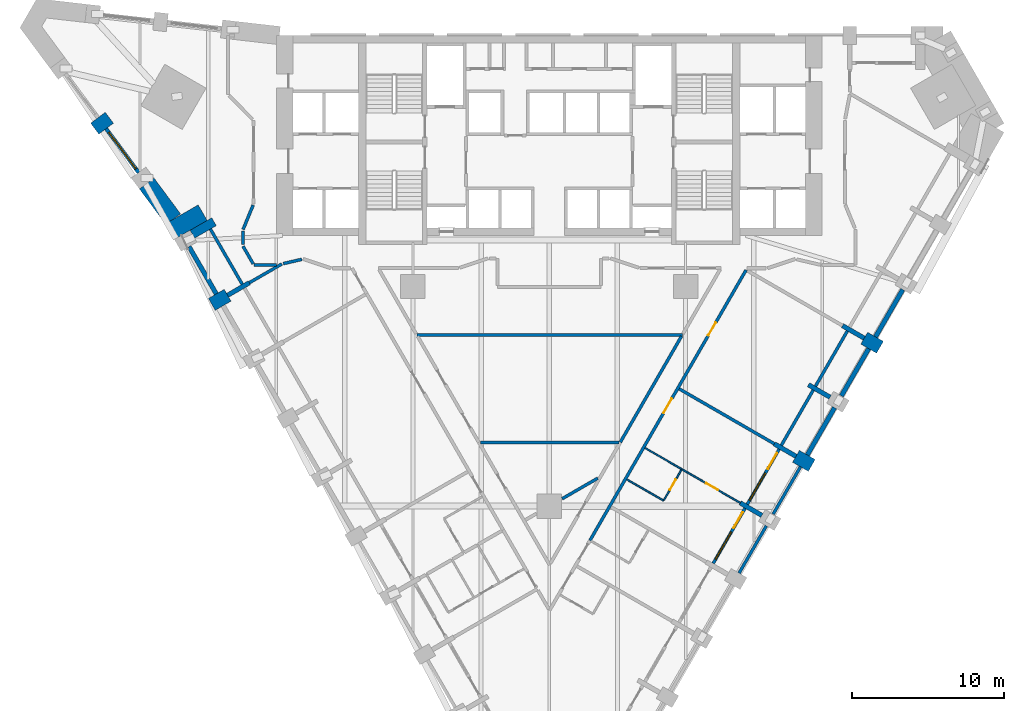
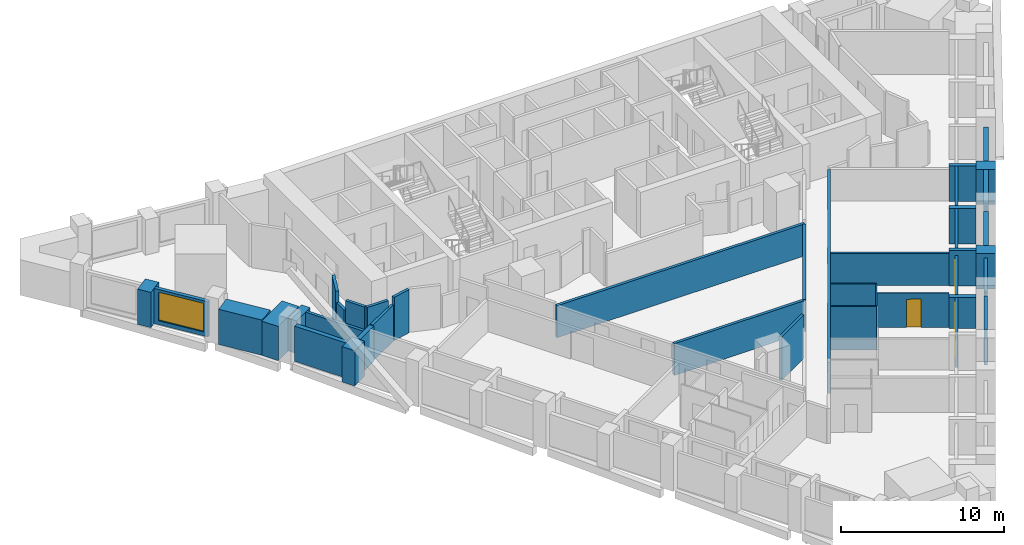
# One storey, part 5 of 11: 40 walls, 6 doors, 3 windows, 9 openings.
"""IFC4 building model written with IfcOpenShell, lengths in metres."""

import ifcopenshell
import ifcopenshell.guid

model = None  # the IFC model being written
_history = None  # IfcOwnerHistory: only IFC2X3 demands one
_inside = {}  # id of a spatial element -> (the spatial element, [elements in it])
_under = {}  # id of a project, library or spatial element -> (it, [spatial elements below it])
_declared = {}  # id of a project -> (the project, [libraries it declares])
_typed = {}  # id of a type object -> (the type object, [elements of that type])
_made_of = {}  # id of a material, layer set ... -> (it, [elements and type objects made of it])


def new_model(schema):
    """Start an empty IFC model of exactly this schema.

    Asked for "IFC4X3", IfcOpenShell would pick the latest addendum, in which some entities
    have other attributes; the version numbers below select the first issue.
    IFC2X3 requires an IfcOwnerHistory on every rooted entity: one is made here for all.
    """
    global model, _history
    if schema == "IFC4X3":
        model = ifcopenshell.file(schema_version=(4, 3, 0, 0))
    else:
        model = ifcopenshell.file(schema=schema)
    _inside.clear()
    _under.clear()
    _declared.clear()
    _typed.clear()
    _made_of.clear()
    _history = None
    if model.schema == "IFC2X3":
        org = make("IfcOrganization", Name="unknown")
        user = make(
            "IfcPersonAndOrganization",
            ThePerson=make("IfcPerson", FamilyName="unknown"),
            TheOrganization=org,
        )
        app = make(
            "IfcApplication",
            ApplicationDeveloper=org,
            Version="unknown",
            ApplicationFullName="unknown",
            ApplicationIdentifier="unknown",
        )
        _history = make(
            "IfcOwnerHistory",
            OwningUser=user,
            OwningApplication=app,
            ChangeAction="ADDED",
            CreationDate=0,
        )
    return model


def make(cls, **values):
    """One entity of the class cls with the attributes given. An attribute that is None is left unset."""
    return model.create_entity(
        cls, **{name: value for name, value in values.items() if value is not None}
    )


def rooted(cls, **values):
    """An entity with a GlobalId (a new one), such as an element, a storey or a relation."""
    return make(cls, GlobalId=ifcopenshell.guid.new(), OwnerHistory=_history, **values)


def si_unit(unit_type, name, prefix=None):
    """IfcSIUnit, for example si_unit("LENGTHUNIT", "METRE", prefix="MILLI")."""
    return make("IfcSIUnit", UnitType=unit_type, Prefix=prefix, Name=name)


def assignment(units):
    """IfcUnitAssignment: the units of a project."""
    return None if units is None else make("IfcUnitAssignment", Units=units)


def point(xyz):
    """IfcCartesianPoint."""
    return None if xyz is None else make("IfcCartesianPoint", Coordinates=xyz)


def direction(xyz):
    """IfcDirection."""
    return None if xyz is None else make("IfcDirection", DirectionRatios=xyz)


def frame(location, z_axis=None, x_axis=None):
    """IfcAxis2Placement3D, a coordinate frame: its origin and axes. An axis left out is left unset."""
    return make(
        "IfcAxis2Placement3D",
        Location=point(location),
        Axis=direction(z_axis),
        RefDirection=direction(x_axis),
    )


def frame_2d(location, x_axis=None):
    """IfcAxis2Placement2D, a coordinate frame in the plane: its origin and x axis."""
    return make(
        "IfcAxis2Placement2D", Location=point(location), RefDirection=direction(x_axis)
    )


def origin():
    """The frame at (0, 0, 0) with its axes left unset."""
    return frame((0.0, 0.0, 0.0))


def place(relative_to, where):
    """IfcLocalPlacement: puts the frame where relative to a parent placement (None: the world)."""
    return make(
        "IfcLocalPlacement", PlacementRelTo=relative_to, RelativePlacement=where
    )


def context(
    kind, dimensions, precision=None, world=None, true_north=None, identifier=None
):
    """IfcGeometricRepresentationContext, for example the 3D "Model" context."""
    return make(
        "IfcGeometricRepresentationContext",
        ContextIdentifier=identifier,
        ContextType=kind,
        CoordinateSpaceDimension=dimensions,
        Precision=precision,
        WorldCoordinateSystem=world,
        TrueNorth=true_north,
    )


def subcontext(parent, identifier, kind, view, scale=None):
    """IfcGeometricRepresentationSubContext, for example "Body" below "Model"."""
    return make(
        "IfcGeometricRepresentationSubContext",
        ContextIdentifier=identifier,
        ContextType=kind,
        ParentContext=parent,
        TargetScale=scale,
        TargetView=view,
    )


def project(units=None, contexts=None):
    """IfcProject with its units and contexts."""
    return rooted(
        "IfcProject",
        Name="project",
        RepresentationContexts=contexts,
        UnitsInContext=assignment(units),
    )


def spatial(cls, under=None, at=None, **own):
    """A site, building, storey or space (cls), placed at a placement, below another one or the project."""
    s = rooted(cls, ObjectPlacement=at, **own)
    if under is not None:
        _under.setdefault(under.id(), (under, []))[1].append(s)
    return s


def polyline(points):
    """IfcPolyline through the points."""
    return make("IfcPolyline", Points=[point(p) for p in points])


def profile(cls, at=None, kind="AREA", **sizes):
    """A parametric profile (cls). Its sizes go by their IFC names, for example OverallWidth=200.0."""
    return make(cls, ProfileType=kind, Position=at, **sizes)


def rectangle(**sizes):
    """IfcRectangleProfileDef."""
    return profile("IfcRectangleProfileDef", **sizes)


def outline(outer, holes=None, kind="AREA"):
    """IfcArbitraryClosedProfileDef: a profile drawn as a closed curve; with holes, ...WithVoids."""
    if holes is None:
        return make("IfcArbitraryClosedProfileDef", ProfileType=kind, OuterCurve=outer)
    return make(
        "IfcArbitraryProfileDefWithVoids",
        ProfileType=kind,
        OuterCurve=outer,
        InnerCurves=holes,
    )


def extrude(swept, where, along, depth):
    """IfcExtrudedAreaSolid: the profile swept, set in the frame where, extruded along a direction by depth."""
    return make(
        "IfcExtrudedAreaSolid",
        SweptArea=swept,
        Position=where,
        ExtrudedDirection=direction(along),
        Depth=depth,
    )


def shape(context_of_items, identifier, shape_type, items):
    """IfcShapeRepresentation: the items that make up one representation, for example the "Body"."""
    return make(
        "IfcShapeRepresentation",
        ContextOfItems=context_of_items,
        RepresentationIdentifier=identifier,
        RepresentationType=shape_type,
        Items=items,
    )


def material(Name=None, Category=None):
    """IfcMaterial."""
    return make("IfcMaterial", Name=Name, Category=Category)


def layer(
    of_material, thickness, ventilated=None, Name=None, Category=None, Priority=None
):
    """IfcMaterialLayer: one layer of a wall or slab, of a material (None: an air gap)."""
    return make(
        "IfcMaterialLayer",
        Material=of_material,
        LayerThickness=thickness,
        IsVentilated=ventilated,
        Name=Name,
        Category=Category,
        Priority=Priority,
    )


def layer_set(layers, Name=None):
    """IfcMaterialLayerSet."""
    return make("IfcMaterialLayerSet", MaterialLayers=layers, LayerSetName=Name)


def made_of(thing, what):
    """Note that an element or type object is made of a material, layer set ...; save() writes the relation."""
    if what is not None:
        _made_of.setdefault(what.id(), (what, []))[1].append(thing)
    return thing


def type_object(cls, material=None, **own):
    """A type object (cls), such as IfcWallType, which elements share."""
    return made_of(rooted(cls, **own), material)


def element(
    cls,
    number,
    at=None,
    inside=None,
    cuts=None,
    type_object=None,
    material=None,
    context=None,
    identifier="Body",
    shape_type=None,
    held_by="IfcProductDefinitionShape",
    body=None,
    shapes=None,
    **own,
):
    """One element of the class cls, such as IfcWall. Its Tag is "e" and its number.

    at: its placement. inside: the storey or other place that contains it. cuts: it is an
    opening in that element (IfcRelVoidsElement). A single representation is given by context,
    identifier, shape_type and body (its items); several are given by shapes. held_by: the class
    of the entity that holds the representations. save() writes the other relations.
    """
    e = rooted(cls, Tag="e%d" % number, ObjectPlacement=at, **own)
    if body is not None:
        shapes = [shape(context, identifier, shape_type, body)]
    if shapes is not None:
        e.Representation = make(held_by, Representations=shapes)
    if inside is not None:
        _inside.setdefault(inside.id(), (inside, []))[1].append(e)
    if cuts is not None:
        rooted(
            "IfcRelVoidsElement", RelatingBuildingElement=cuts, RelatedOpeningElement=e
        )
    if type_object is not None:
        _typed.setdefault(type_object.id(), (type_object, []))[1].append(e)
    return made_of(e, material)


def fill(opening, filler):
    """IfcRelFillsElement: the door or window that sits in an opening."""
    return rooted(
        "IfcRelFillsElement",
        RelatingOpeningElement=opening,
        RelatedBuildingElement=filler,
    )


def aggregate(whole, parts):
    """IfcRelAggregates: a whole, such as a stair, and the parts it consists of."""
    return rooted("IfcRelAggregates", RelatingObject=whole, RelatedObjects=parts)


def save(model, path):
    """Write the relations noted so far, then the file.

    IfcRelAggregates (storeys below a building ...), IfcRelContainedInSpatialStructure (elements
    in a storey), IfcRelDefinesByType, IfcRelAssociatesMaterial and IfcRelDeclares: one each for
    every whole, place, type object, material and project.
    """
    for whole, parts in _under.values():
        aggregate(whole, parts)
    for where, things in _inside.values():
        rooted(
            "IfcRelContainedInSpatialStructure",
            RelatedElements=things,
            RelatingStructure=where,
        )
    for kind, things in _typed.values():
        rooted("IfcRelDefinesByType", RelatedObjects=things, RelatingType=kind)
    for what, things in _made_of.values():
        rooted("IfcRelAssociatesMaterial", RelatedObjects=things, RelatingMaterial=what)
    for by, libraries in _declared.values():
        rooted("IfcRelDeclares", RelatingContext=by, RelatedDefinitions=libraries)
    model.write(path)


model = new_model("IFC4")

# Units and contexts
model_context = context("Model", 3, precision=1e-05, world=origin(), true_north=direction((0.0, 1.0)))
body_context = subcontext(model_context, "Body", "Model", "MODEL_VIEW")
ifc_project = project(units=[si_unit("LENGTHUNIT", "METRE"), si_unit("AREAUNIT", "SQUARE_METRE"), si_unit("VOLUMEUNIT", "CUBIC_METRE"), si_unit("PLANEANGLEUNIT", "RADIAN"), si_unit("MASSUNIT", "GRAM", prefix="KILO")], contexts=[model_context])

# Site, building, storey
site_placement = place(None, origin())
site = spatial("IfcSite", under=ifc_project, at=site_placement, CompositionType="ELEMENT")
building_placement = place(site_placement, origin())
building = spatial("IfcBuilding", under=site, at=building_placement, Name="Calabash Gate Tower", CompositionType="ELEMENT")
storey_placement = place(building_placement, frame((0.0, 0.0, 73.199951171875)))
storey = spatial("IfcBuildingStorey", under=building, at=storey_placement, Name="L14", CompositionType="ELEMENT", Elevation=73.199951171875)

# Walls
ifc_material_1 = material(Name="Terracotta brick masonry, exposed face", Category="masonry")
ifc_layer_1 = layer(ifc_material_1, 2.5)
ifc_layer_set_1 = layer_set([ifc_layer_1], Name="Brick corner mass wall 2500")
wall_type_1 = type_object("IfcWallType", Name="Brick corner mass wall 2500", PredefinedType="SOLIDWALL", material=ifc_layer_set_1)
wall_1_placement = place(storey_placement, frame((-22.865234375, 7.365234375, 0.0), z_axis=(0.0, 0.0, 1.0), x_axis=(-0.866022959057, -0.500004234368, 0.0)))
element("IfcWall", 1, at=wall_1_placement, inside=storey, type_object=wall_type_1, Name="Brick corner pier S03 1", PredefinedType="SOLIDWALL", context=body_context, shape_type="SweptSolid", body=[
    extrude(rectangle(XDim=2.5, YDim=1.1845703125, at=frame_2d((1.25, 0.0))), origin(), (0.0, 0.0, 1.0), 2.552001953125),
])
ifc_material_2 = material(Name="Terracotta brick masonry, exposed face", Category="masonry")
ifc_layer_2 = layer(ifc_material_2, 1.199951171875)
ifc_layer_set_2 = layer_set([ifc_layer_2], Name="Brick end wall 1200")
wall_type_2 = type_object("IfcWallType", Name="Brick end wall 1200", PredefinedType="SOLIDWALL", material=ifc_layer_set_2)
wall_2_placement = place(storey_placement, frame((-21.2197265625, 1.91552734375, 0.0), z_axis=(0.0, 0.0, 1.0), x_axis=(-0.866006032174, -0.500033551112, 0.0)))
element("IfcWall", 2, at=wall_2_placement, inside=storey, type_object=wall_type_2, Name="Brick pier S03 SW0.1", PredefinedType="SOLIDWALL", context=body_context, shape_type="SweptSolid", body=[
    extrude(rectangle(XDim=1.2001953125, YDim=0.89990234375, at=frame_2d((0.60009765625, 0.0))), origin(), (0.0, 0.0, 1.0), 2.630126953125),
])
for number, where, z_axis, x_axis, name in (
    (3, (16.27880859375, -8.70947265625, 0.0), (0.0, 0.0, 1.0), (0.865955154139, -0.50012165622, 0.0), "Brick pier S03 SE2.5"),
    (4, (21.81787109375, -1.515380859375, 0.0), (0.0, 0.0, 1.0), (-0.865955154139, 0.50012165622, 0.0), "Brick pier S03 SE2.7"),
    (5, (-29.985107421875, 12.91015625, 0.0), (0.0, 0.0, 1.0), (0.803477891264, 0.595334593527, 0.0), "Brick pier S03 wedge7.1"),
):
    element("IfcWall", number, at=place(storey_placement, frame(where, z_axis=z_axis, x_axis=x_axis)), inside=storey, type_object=wall_type_2, Name=name, PredefinedType="SOLIDWALL", context=body_context, shape_type="SweptSolid", body=[
        extrude(rectangle(XDim=1.199951171875, YDim=0.89990234375, at=frame_2d((0.60009765625, 0.0))), origin(), (0.0, 0.0, 1.0), 2.630126953125),
    ])
wall_3_placement = place(storey_placement, origin())
element("IfcWall", 6, at=wall_3_placement, inside=storey, type_object=wall_type_2, Name="Brick end wall S03 3", PredefinedType="SOLIDWALL", context=body_context, shape_type="SweptSolid", body=[
    extrude(outline(polyline([(-24.32470703125, 7.285400390625), (-26.07421875, 9.64697265625), (-26.07421875, 9.64697265625), (-26.073974609375, 9.646484375), (-27.0380859375, 8.932373046875), (-25.30908203125, 6.5986328125), (-25.326416015625, 6.628173828125), (-24.806640625, 6.92822265625), (-24.32470703125, 7.285400390625)])), origin(), (0.0, 0.0, 1.0), 2.630126953125),
])
ifc_material_3 = material(Name="Terracotta brick masonry, exposed face", Category="masonry")
ifc_layer_3 = layer(ifc_material_3, 0.300048828125)
ifc_layer_set_3 = layer_set([ifc_layer_3], Name="Brick infill panel wall 300")
wall_type_3 = type_object("IfcWallType", Name="Brick infill panel wall 300", PredefinedType="SOLIDWALL", material=ifc_layer_set_3)
wall_4_placement = place(storey_placement, frame((-23.764404296875, 5.122802734375, 0.0), z_axis=(0.0, 0.0, 1.0), x_axis=(0.500012057535, -0.866018442252, 0.0)))
element("IfcWall", 7, at=wall_4_placement, inside=storey, type_object=wall_type_3, Name="Brick panel S03 SW0.1", PredefinedType="SOLIDWALL", context=body_context, shape_type="SweptSolid", body=[
    extrude(rectangle(XDim=3.60009765625, YDim=0.300048828125, at=frame_2d((1.800048828125, 0.0))), origin(), (0.0, 0.0, 1.0), 2.630126953125),
])
for number, where, z_axis, x_axis, name in (
    (8, (17.0234375, -8.619873046875, 0.0), (0.0, 0.0, 1.0), (0.499961193289, 0.866047807691, 0.0), "Brick panel S03 SE2.6"),
    (9, (19.2734375, -4.72265625, 0.0), (0.0, 0.0, 1.0), (0.499961193289, 0.866047807691, 0.0), "Brick panel S03 SE2.7"),
    (10, (21.5234375, -0.82568359375, 0.0), (0.0, 0.0, 1.0), (0.499961193289, 0.866047807691, 0.0), "Brick panel S03 SE2.8"),
):
    element("IfcWall", number, at=place(storey_placement, frame(where, z_axis=z_axis, x_axis=x_axis)), inside=storey, type_object=wall_type_3, Name=name, PredefinedType="SOLIDWALL", context=body_context, shape_type="SweptSolid", body=[
        extrude(rectangle(XDim=3.599853515625, YDim=0.300048828125, at=frame_2d((1.7998046875, 0.0))), origin(), (0.0, 0.0, 1.0), 2.630126953125),
    ])
ifc_material_4 = material(Name="Terracotta brick masonry, exposed face", Category="masonry")
ifc_layer_4 = layer(ifc_material_4, 0.300048828125)
ifc_layer_set_4 = layer_set([ifc_layer_4], Name="Brick loggia cheek wall 300")
wall_type_4 = type_object("IfcWallType", Name="Brick loggia cheek wall 300", PredefinedType="SOLIDWALL", material=ifc_layer_set_4)
wall_5_placement = place(storey_placement, frame((-23.54443359375, 5.94287109375, 0.0), z_axis=(0.0, 0.0, 1.0), x_axis=(0.866030301974, 0.499991515992, 0.0)))
element("IfcWall", 11, at=wall_5_placement, inside=storey, type_object=wall_type_4, Name="Loggia cheek S03 SW0.0", PredefinedType="SOLIDWALL", context=body_context, shape_type="SweptSolid", body=[
    extrude(rectangle(XDim=1.6494140625, YDim=0.60009765625, at=frame_2d((0.82470703125, 0.0))), origin(), (0.0, 0.0, 1.0), 2.4501953125),
])
wall_6_placement = place(storey_placement, frame((-19.790771484375, 2.740478515625, 0.0), z_axis=(0.0, 0.0, 1.0), x_axis=(-0.866040211805, -0.499974350878, 0.0)))
element("IfcWall", 12, at=wall_6_placement, inside=storey, type_object=wall_type_4, Name="Loggia cheek S03 SW0.1", PredefinedType="SOLIDWALL", context=body_context, shape_type="SweptSolid", body=[
    extrude(rectangle(XDim=1.64990234375, YDim=0.300048828125, at=frame_2d((0.824951171875, 0.0))), origin(), (0.0, 0.0, 1.0), 2.650146484375),
])
wall_7_placement = place(storey_placement, frame((14.028564453125, -12.606689453125, 0.0), z_axis=(0.0, 0.0, 1.0), x_axis=(-0.866003217194, 0.500038426333, 0.0)))
element("IfcWall", 13, at=wall_7_placement, inside=storey, type_object=wall_type_4, Name="Loggia cheek S03 SE2.4", PredefinedType="SOLIDWALL", context=body_context, shape_type="SweptSolid", body=[
    extrude(rectangle(XDim=1.649658203125, YDim=0.300048828125, at=frame_2d((0.82470703125, 0.0))), origin(), (0.0, 0.0, 1.0), 2.302490234375),
])
wall_8_placement = place(storey_placement, frame((16.27880859375, -8.70947265625, 0.0), z_axis=(0.0, 0.0, 1.0), x_axis=(-0.866040211805, 0.499974350878, 0.0)))
element("IfcWall", 14, at=wall_8_placement, inside=storey, type_object=wall_type_4, Name="Loggia cheek S03 SE2.5", PredefinedType="SOLIDWALL", context=body_context, shape_type="SweptSolid", body=[
    extrude(rectangle(XDim=1.64990234375, YDim=0.300048828125, at=frame_2d((0.824951171875, 0.0))), origin(), (0.0, 0.0, 1.0), 2.650146484375),
])
wall_9_placement = place(storey_placement, frame((17.099853515625, -3.987548828125, 0.0), z_axis=(0.0, 0.0, 1.0), x_axis=(0.866030301974, -0.499991515992, 0.0)))
element("IfcWall", 15, at=wall_9_placement, inside=storey, type_object=wall_type_4, Name="Loggia cheek S03 SE2.6", PredefinedType="SOLIDWALL", context=body_context, shape_type="SweptSolid", body=[
    extrude(rectangle(XDim=1.6494140625, YDim=0.300048828125, at=frame_2d((0.82470703125, 0.0))), origin(), (0.0, 0.0, 1.0), 2.650146484375),
])
wall_10_placement = place(storey_placement, frame((19.349853515625, -0.09033203125, 0.0), z_axis=(0.0, 0.0, 1.0), x_axis=(0.866040211805, -0.499974350878, 0.0)))
element("IfcWall", 16, at=wall_10_placement, inside=storey, type_object=wall_type_4, Name="Loggia cheek S03 SE2.7", PredefinedType="SOLIDWALL", context=body_context, shape_type="SweptSolid", body=[
    extrude(rectangle(XDim=1.64990234375, YDim=0.300048828125, at=frame_2d((0.824951171875, 0.0))), origin(), (0.0, 0.0, 1.0), 2.650146484375),
])

# Wall, opening, door
ifc_material_5 = material(Name="Gypsum board on steel studs, mineral wool", Category="steel")
ifc_layer_5 = layer(ifc_material_5, 0.10009765625)
ifc_layer_set_5 = layer_set([ifc_layer_5], Name="Partition 100 gypsum board")
wall_type_5 = type_object("IfcWallType", Name="Partition 100 gypsum board", PredefinedType="PARTITIONING", material=ifc_layer_set_5)
wall_11_placement = place(storey_placement, frame((8.7451171875, -9.55859375, 0.0), z_axis=(0.0, 0.0, 1.0), x_axis=(0.866220293694, -0.499662288743, 0.0)))
wall_11 = element("IfcWall", 17, at=wall_11_placement, inside=storey, type_object=wall_type_5, Name="Partition", PredefinedType="PARTITIONING", context=body_context, shape_type="SweptSolid", body=[
    extrude(rectangle(XDim=4.44970703125, YDim=0.10009765625, at=frame_2d((2.224853515625, 0.0))), origin(), (0.0, 0.0, 1.0), 2.552001953125),
])
opening_1_placement = place(wall_11_placement, frame((1.849609375, 0.0, 0.0)))
opening_1 = element("IfcOpeningElement", 18, at=opening_1_placement, cuts=wall_11, Name="Opening 12-14-007", PredefinedType="OPENING", context=body_context, shape_type="SweptSolid", body=[
    extrude(rectangle(XDim=0.89990234375, YDim=2.10009765625, at=frame_2d((0.449951171875, 1.050048828125))), frame((0.0, 0.06005859375, 0.0), z_axis=(0.0, -1.0, 0.0), x_axis=(1.0, 0.0, 0.0)), (0.0, 0.0, 1.0), 0.1201171875),
])
ifc_material_6 = material(Name="Painted timber door", Category="wood")
door_type_1 = type_object("IfcDoorType", Name="GD7 Suite room door 900x2100", OperationType="NOTDEFINED", PredefinedType="DOOR", material=ifc_material_6)
door_1_placement = place(opening_1_placement, origin())
door_1 = element("IfcDoor", 19, at=door_1_placement, inside=storey, type_object=door_type_1, Name="Suite room door", OperationType="SINGLE_SWING_LEFT", OverallHeight=2.10009765625, OverallWidth=0.89990234375, PredefinedType="DOOR", context=body_context, shape_type="SweptSolid", body=[
    extrude(rectangle(XDim=0.89990234375, YDim=2.10009765625, at=frame_2d((0.449951171875, 1.050048828125))), frame((0.0, 0.02490234375, 0.0), z_axis=(0.0, -1.0, 0.0), x_axis=(1.0, 0.0, 0.0)), (0.0, 0.0, 1.0), 0.050048828125),
])
fill(opening_1, door_1)

wall_12_placement = place(storey_placement, frame((7.57080078125, -11.591796875, 0.0), z_axis=(0.0, 0.0, 1.0), x_axis=(0.499418922955, 0.86636062895, 0.0)))
wall_12 = element("IfcWall", 20, at=wall_12_placement, inside=storey, type_object=wall_type_5, Name="Partition", PredefinedType="PARTITIONING", context=body_context, shape_type="SweptSolid", body=[
    extrude(rectangle(XDim=2.298095703125, YDim=0.10009765625, at=frame_2d((1.14892578125, 0.0))), origin(), (0.0, 0.0, 1.0), 3.22998046875),
])
opening_2_placement = place(wall_12_placement, frame((0.75, 0.0, 0.0)))
opening_2 = element("IfcOpeningElement", 21, at=opening_2_placement, cuts=wall_12, Name="Opening 12-14-008", PredefinedType="OPENING", context=body_context, shape_type="SweptSolid", body=[
    extrude(rectangle(XDim=0.800048828125, YDim=2.10009765625, at=frame_2d((0.39990234375, 1.050048828125))), frame((0.0, 0.06005859375, 0.0), z_axis=(0.0, -1.0, 0.0), x_axis=(1.0, 0.0, 0.0)), (0.0, 0.0, 1.0), 0.1201171875),
])
ifc_material_7 = material(Name="Painted timber door", Category="wood")
door_type_2 = type_object("IfcDoorType", Name="GD5 En-suite door 800x2100", OperationType="NOTDEFINED", PredefinedType="DOOR", material=ifc_material_7)
door_2_placement = place(opening_2_placement, origin())
door_2 = element("IfcDoor", 22, at=door_2_placement, inside=storey, type_object=door_type_2, Name="En-suite door", OperationType="SINGLE_SWING_LEFT", OverallHeight=2.10009765625, OverallWidth=0.800048828125, PredefinedType="DOOR", context=body_context, shape_type="SweptSolid", body=[
    extrude(rectangle(XDim=0.800048828125, YDim=2.10009765625, at=frame_2d((0.39990234375, 1.050048828125))), frame((0.0, 0.02490234375, 0.0), z_axis=(0.0, -1.0, 0.0), x_axis=(1.0, 0.0, 0.0)), (0.0, 0.0, 1.0), 0.050048828125),
])
fill(opening_2, door_2)

# Walls
wall_13_placement = place(storey_placement, frame((5.1220703125, -10.23388671875, 0.0), z_axis=(0.0, 0.0, 1.0), x_axis=(0.86575844616, -0.500462099367, 0.0)))
element("IfcWall", 23, at=wall_13_placement, inside=storey, type_object=wall_type_5, Name="Partition", PredefinedType="PARTITIONING", context=body_context, shape_type="SweptSolid", body=[
    extrude(rectangle(XDim=2.799560546875, YDim=0.10009765625, at=frame_2d((1.39990234375, 0.0))), origin(), (0.0, 0.0, 1.0), 3.22998046875),
])
wall_14_placement = place(storey_placement, frame((6.3203125, -8.158447265625, 0.0), z_axis=(0.0, 0.0, 1.0), x_axis=(0.865995230276, -0.500052258409, 0.0)))
element("IfcWall", 24, at=wall_14_placement, inside=storey, type_object=wall_type_5, Name="Partition", PredefinedType="PARTITIONING", context=body_context, shape_type="SweptSolid", body=[
    extrude(rectangle(XDim=2.798095703125, YDim=0.10009765625, at=frame_2d((1.39892578125, 0.0))), origin(), (0.0, 0.0, 1.0), 3.22998046875),
])
ifc_material_8 = material(Name="Gypsum board on steel studs, mineral wool", Category="steel")
ifc_layer_6 = layer(ifc_material_8, 0.199951171875)
ifc_layer_set_6 = layer_set([ifc_layer_6], Name="Partition 200 gypsum board EI 60")
wall_type_6 = type_object("IfcWallType", Name="Partition 200 gypsum board EI 60", PredefinedType="PARTITIONING", material=ifc_layer_set_6)
wall_15_placement = place(storey_placement, frame((0.85009765625, -11.509033203125, 0.0), z_axis=(0.0, 0.0, 1.0), x_axis=(0.865994487098, 0.500053545449, 0.0)))
element("IfcWall", 25, at=wall_15_placement, inside=storey, type_object=wall_type_6, Name="Partition", PredefinedType="PARTITIONING", context=body_context, shape_type="SweptSolid", body=[
    extrude(rectangle(XDim=2.723388671875, YDim=0.199951171875, at=frame_2d((1.36181640625, 0.0))), origin(), (0.0, 0.0, 1.0), 3.22998046875),
])
wall_16_placement = place(storey_placement, frame((-4.5498046875, -7.783935546875, 0.0), z_axis=(0.0, 0.0, 1.0), x_axis=(1.0, 0.0, 0.0)))
element("IfcWall", 26, at=wall_16_placement, inside=storey, type_object=wall_type_6, Name="Partition", PredefinedType="PARTITIONING", context=body_context, shape_type="SweptSolid", body=[
    extrude(rectangle(XDim=9.13818359375, YDim=0.199951171875, at=frame_2d((4.569091796875, 0.0))), origin(), (0.0, 0.0, 1.0), 2.384033203125),
])
wall_17_placement = place(storey_placement, frame((4.6875, -7.781982421875, 0.0), z_axis=(0.0, 0.0, 1.0), x_axis=(0.499996438971, 0.866027459735, 0.0)))
element("IfcWall", 27, at=wall_17_placement, inside=storey, type_object=wall_type_6, Name="Partition", PredefinedType="PARTITIONING", context=body_context, shape_type="SweptSolid", body=[
    extrude(rectangle(XDim=8.0732421875, YDim=0.199951171875, at=frame_2d((4.03662109375, 0.0))), origin(), (0.0, 0.0, 1.0), 2.384033203125),
])
wall_18_placement = place(storey_placement, frame((8.572265625, -4.258056640625, 0.0), z_axis=(0.0, 0.0, 1.0), x_axis=(0.865900080757, -0.500217003055, 0.0)))
element("IfcWall", 28, at=wall_18_placement, inside=storey, type_object=wall_type_6, Name="Partition", PredefinedType="PARTITIONING", context=body_context, shape_type="SweptSolid", body=[
    extrude(rectangle(XDim=7.249755859375, YDim=0.199951171875, at=frame_2d((3.625, 0.0))), origin(), (0.0, 0.0, 1.0), 2.384033203125),
])
wall_19_placement = place(storey_placement, frame((-8.73681640625, -0.70556640625, 0.0), z_axis=(0.0, 0.0, 1.0), x_axis=(1.0, 0.0, 0.0)))
element("IfcWall", 29, at=wall_19_placement, inside=storey, type_object=wall_type_6, Name="Partition", PredefinedType="PARTITIONING", context=body_context, shape_type="SweptSolid", body=[
    extrude(rectangle(XDim=17.51220703125, YDim=0.199951171875, at=frame_2d((8.756103515625, 0.0))), origin(), (0.0, 0.0, 1.0), 2.384033203125),
])

# Wall, openings, doors
wall_20_placement = place(storey_placement, frame((2.686279296875, -14.256591796875, 0.0), z_axis=(0.0, 0.0, 1.0), x_axis=(0.49998850195, 0.866032042085, 0.0)))
wall_20 = element("IfcWall", 30, at=wall_20_placement, inside=storey, type_object=wall_type_6, Name="Partition", PredefinedType="PARTITIONING", context=body_context, shape_type="SweptSolid", body=[
    extrude(rectangle(XDim=20.60009765625, YDim=0.199951171875, at=frame_2d((10.300048828125, 0.0))), origin(), (0.0, 0.0, 1.0), 2.302490234375),
])
opening_3_placement = place(wall_20_placement, frame((9.7001953125, 0.0, 0.0)))
opening_3 = element("IfcOpeningElement", 31, at=opening_3_placement, cuts=wall_20, Name="Opening 12-14-006", PredefinedType="OPENING", context=body_context, shape_type="SweptSolid", body=[
    extrude(rectangle(XDim=1.10009765625, YDim=2.10009765625, at=frame_2d((0.550048828125, 1.050048828125))), frame((0.0, 0.10986328125, 0.0), z_axis=(0.0, -1.0, 0.0), x_axis=(1.0, 0.0, 0.0)), (0.0, 0.0, 1.0), 0.219970703125),
])
opening_4_placement = place(wall_20_placement, frame((15.60009765625, 0.0, 0.0)))
opening_4 = element("IfcOpeningElement", 32, at=opening_4_placement, cuts=wall_20, Name="Opening 12-14-009", PredefinedType="OPENING", context=body_context, shape_type="SweptSolid", body=[
    extrude(rectangle(XDim=1.0, YDim=2.10009765625, at=frame_2d((0.5, 1.050048828125))), frame((0.0, 0.10986328125, 0.0), z_axis=(0.0, -1.0, 0.0), x_axis=(1.0, 0.0, 0.0)), (0.0, 0.0, 1.0), 0.219970703125),
])
ifc_material_9 = material(Name="Steel fire door set with fire-resisting glazing", Category="steel")
door_type_3 = type_object("IfcDoorType", Name="GD3 Suite entrance door 1100x2100", OperationType="NOTDEFINED", PredefinedType="DOOR", material=ifc_material_9)
door_3_placement = place(opening_3_placement, origin())
door_3 = element("IfcDoor", 33, at=door_3_placement, inside=storey, type_object=door_type_3, Name="Suite entrance door", OperationType="SINGLE_SWING_LEFT", OverallHeight=2.10009765625, OverallWidth=1.10009765625, PredefinedType="DOOR", context=body_context, shape_type="SweptSolid", body=[
    extrude(rectangle(XDim=1.10009765625, YDim=2.10009765625, at=frame_2d((0.550048828125, 1.050048828125))), frame((0.0, 0.02490234375, 0.0), z_axis=(0.0, -1.0, 0.0), x_axis=(1.0, 0.0, 0.0)), (0.0, 0.0, 1.0), 0.050048828125),
])
fill(opening_3, door_3)
ifc_material_10 = material(Name="Steel fire door set with fire-resisting glazing", Category="steel")
door_type_4 = type_object("IfcDoorType", Name="LD2 Meeting room door 1000x2100", OperationType="NOTDEFINED", PredefinedType="DOOR", material=ifc_material_10)
door_4_placement = place(opening_4_placement, origin())
door_4 = element("IfcDoor", 34, at=door_4_placement, inside=storey, type_object=door_type_4, Name="Meeting room door", OperationType="SINGLE_SWING_LEFT", OverallHeight=2.10009765625, OverallWidth=1.0, PredefinedType="DOOR", context=body_context, shape_type="SweptSolid", body=[
    extrude(rectangle(XDim=1.0, YDim=2.10009765625, at=frame_2d((0.5, 1.050048828125))), frame((0.0, 0.02490234375, 0.0), z_axis=(0.0, -1.0, 0.0), x_axis=(1.0, 0.0, 0.0)), (0.0, 0.0, 1.0), 0.050048828125),
])
fill(opening_4, door_4)

# Walls
wall_21_placement = place(storey_placement, frame((-19.47900390625, 3.899658203125, 0.0), z_axis=(0.0, 0.0, 1.0), x_axis=(0.999999986376, -0.000165070978, 0.0)))
element("IfcWall", 35, at=wall_21_placement, inside=storey, type_object=wall_type_6, Name="Partition", PredefinedType="PARTITIONING", context=body_context, shape_type="SweptSolid", body=[
    extrude(rectangle(XDim=1.47900390625, YDim=0.199951171875, at=frame_2d((0.739501953125, 0.0))), origin(), (0.0, 0.0, 1.0), 3.22998046875),
])
wall_22_placement = place(storey_placement, frame((-19.791015625, 2.740478515625, 0.0), z_axis=(0.0, 0.0, 1.0), x_axis=(0.86605932655, 0.499941239442, 0.0)))
element("IfcWall", 36, at=wall_22_placement, inside=storey, type_object=wall_type_6, Name="Partition", PredefinedType="PARTITIONING", context=body_context, shape_type="SweptSolid", body=[
    extrude(rectangle(XDim=2.479248046875, YDim=0.199951171875, at=frame_2d((1.23974609375, 0.0))), origin(), (0.0, 0.0, 1.0), 2.701904296875),
])
wall_23_placement = place(storey_placement, frame((-17.5458984375, 4.0029296875, 0.0), z_axis=(0.0, 0.0, 1.0), x_axis=(0.974055012808, 0.226311360791, 0.0)))
element("IfcWall", 37, at=wall_23_placement, inside=storey, type_object=wall_type_6, Name="Partition", PredefinedType="PARTITIONING", context=body_context, shape_type="SweptSolid", body=[
    extrude(rectangle(XDim=1.25244140625, YDim=0.199951171875, at=frame_2d((0.626220703125, 0.0))), origin(), (0.0, 0.0, 1.0), 3.22998046875),
])
wall_24_placement = place(storey_placement, frame((-20.200439453125, 5.14892578125, 0.0), z_axis=(0.0, 0.0, 1.0), x_axis=(0.500011000363, -0.866019052629, 0.0)))
element("IfcWall", 38, at=wall_24_placement, inside=storey, type_object=wall_type_6, Name="Partition", PredefinedType="PARTITIONING", context=body_context, shape_type="SweptSolid", body=[
    extrude(rectangle(XDim=1.3427734375, YDim=0.199951171875, at=frame_2d((0.67138671875, 0.0))), origin(), (0.0, 0.0, 1.0), 3.22998046875),
])
wall_25_placement = place(storey_placement, frame((-20.200439453125, 6.152587890625, 0.0), z_axis=(0.0, 0.0, 1.0), x_axis=(0.0, -1.0, 0.0)))
element("IfcWall", 39, at=wall_25_placement, inside=storey, type_object=wall_type_6, Name="Partition", PredefinedType="PARTITIONING", context=body_context, shape_type="SweptSolid", body=[
    extrude(rectangle(XDim=0.903564453125, YDim=0.199951171875, at=frame_2d((0.45166015625, 0.0))), origin(), (0.0, 0.0, 1.0), 2.4501953125),
])
wall_26_placement = place(storey_placement, frame((-20.200439453125, 6.252685546875, 0.0), z_axis=(0.0, 0.0, 1.0), x_axis=(0.380742741509, 0.924681007044, 0.0)))
element("IfcWall", 40, at=wall_26_placement, inside=storey, type_object=wall_type_6, Name="Partition", PredefinedType="PARTITIONING", context=body_context, shape_type="SweptSolid", body=[
    extrude(rectangle(XDim=1.73828125, YDim=0.199951171875, at=frame_2d((0.869140625, 0.0))), origin(), (0.0, 0.0, 1.0), 3.22998046875),
])

# Wall, opening, window
ifc_material_11 = material(Name="Aluminium framed window wall with insulated spandrel", Category="aluminium")
ifc_layer_7 = layer(ifc_material_11, 0.25)
ifc_layer_set_7 = layer_set([ifc_layer_7], Name="Prow window wall 250")
wall_type_7 = type_object("IfcWallType", Name="Prow window wall 250", PredefinedType="ELEMENTEDWALL", material=ifc_layer_set_7)
wall_27_placement = place(storey_placement, frame((-29.235107421875, 12.905517578125, 0.0), z_axis=(0.0, 0.0, 1.0), x_axis=(0.595302153335, -0.803501926715, 0.0)))
wall_27 = element("IfcWall", 41, at=wall_27_placement, inside=storey, type_object=wall_type_7, Name="Prow window wall S03 wedge7.2", PredefinedType="ELEMENTEDWALL", context=body_context, shape_type="SweptSolid", body=[
    extrude(rectangle(XDim=3.599853515625, YDim=0.25, at=frame_2d((1.7998046875, 0.0))), origin(), (0.0, 0.0, 1.0), 2.630126953125),
])
opening_5_placement = place(wall_27_placement, frame((0.300048828125, 0.0, 0.300048828125)))
opening_5 = element("IfcOpeningElement", 42, at=opening_5_placement, cuts=wall_27, Name="Opening WP1L-2130", PredefinedType="OPENING", context=body_context, shape_type="SweptSolid", body=[
    extrude(rectangle(XDim=3.0, YDim=2.1298828125, at=frame_2d((1.5, 1.06494140625))), frame((0.0, 0.135009765625, 0.0), z_axis=(0.0, -1.0, 0.0), x_axis=(1.0, 0.0, 0.0)), (0.0, 0.0, 1.0), 0.27001953125),
])
ifc_material_12 = material(Name="Anodised aluminium frame, bronze finish, impact-rated laminated clear glazing", Category="aluminium")
window_type_1 = type_object("IfcWindowType", Name="Window WP1L 3000x2130", PartitioningType="DOUBLE_PANEL_VERTICAL", PredefinedType="WINDOW", material=ifc_material_12)
window_1_placement = place(opening_5_placement, origin())
window_1 = element("IfcWindow", 43, at=window_1_placement, inside=storey, type_object=window_type_1, Name="Prow window WP1L S03 wedge7.2", OverallHeight=2.1298828125, OverallWidth=3.0, PartitioningType="SINGLE_PANEL", PredefinedType="WINDOW", context=body_context, shape_type="SweptSolid", body=[
    extrude(rectangle(XDim=3.0, YDim=2.1298828125, at=frame_2d((1.5, 1.06494140625))), frame((0.0, 0.030029296875, 0.0), z_axis=(0.0, -1.0, 0.0), x_axis=(1.0, 0.0, 0.0)), (0.0, 0.0, 1.0), 0.06005859375),
])
fill(opening_5, window_1)

# Walls
ifc_material_13 = material(Name="Terracotta brick masonry, perforated", Category="masonry")
ifc_layer_8 = layer(ifc_material_13, 0.199951171875)
ifc_layer_set_8 = layer_set([ifc_layer_8], Name="Terracotta jaali screen A")
wall_type_8 = type_object("IfcWallType", Name="Terracotta jaali screen A", PredefinedType="SOLIDWALL", material=ifc_layer_set_8)
wall_28_placement = place(storey_placement, frame((12.5234375, -16.4140625, 0.0), z_axis=(0.0, 0.0, 1.0), x_axis=(0.499961193289, 0.866047807691, 0.0)))
element("IfcWall", 44, at=wall_28_placement, inside=storey, type_object=wall_type_8, Name="SCREEN A S03 SE2.4", PredefinedType="SOLIDWALL", context=body_context, shape_type="SweptSolid", body=[
    extrude(rectangle(XDim=3.599853515625, YDim=0.199951171875, at=frame_2d((1.7998046875, 0.0))), origin(), (0.0, 0.0, 1.0), 2.630126953125),
])
wall_29_placement = place(storey_placement, frame((14.7734375, -12.51708984375, 0.0), z_axis=(0.0, 0.0, 1.0), x_axis=(0.499931829785, 0.866064758299, 0.0)))
element("IfcWall", 45, at=wall_29_placement, inside=storey, type_object=wall_type_8, Name="SCREEN A S03 SE2.5", PredefinedType="SOLIDWALL", context=body_context, shape_type="SweptSolid", body=[
    extrude(rectangle(XDim=3.60009765625, YDim=0.199951171875, at=frame_2d((1.800048828125, 0.0))), origin(), (0.0, 0.0, 1.0), 2.302490234375),
])
ifc_material_14 = material(Name="Aluminium framed window wall with insulated spandrel", Category="aluminium")
ifc_layer_9 = layer(ifc_material_14, 0.199951171875)
ifc_layer_set_9 = layer_set([ifc_layer_9], Name="Window wall 200")
wall_type_9 = type_object("IfcWallType", Name="Window wall 200", PredefinedType="ELEMENTEDWALL", material=ifc_layer_set_9)
wall_30_placement = place(storey_placement, frame((-22.35546875, 6.28271484375, 0.0), z_axis=(0.0, 0.0, 1.0), x_axis=(0.49998411664, -0.866034573852, 0.0)))
element("IfcWall", 46, at=wall_30_placement, inside=storey, type_object=wall_type_9, Name="Window wall S03 SW0.1", PredefinedType="ELEMENTEDWALL", context=body_context, shape_type="SweptSolid", body=[
    extrude(rectangle(XDim=4.199951171875, YDim=0.199951171875, at=frame_2d((2.10009765625, 0.0))), origin(), (0.0, 0.0, 1.0), 2.4501953125),
])

# Wall, openings, door, window
wall_31_placement = place(storey_placement, frame((10.814453125, -15.77392578125, 0.0), z_axis=(0.0, 0.0, 1.0), x_axis=(0.500002543286, 0.866023935413, 0.0)))
wall_31 = element("IfcWall", 47, at=wall_31_placement, inside=storey, type_object=wall_type_9, Name="Window wall S03 SE2.4", PredefinedType="ELEMENTEDWALL", context=body_context, shape_type="SweptSolid", body=[
    extrude(rectangle(XDim=4.2001953125, YDim=0.199951171875, at=frame_2d((2.10009765625, 0.0))), origin(), (0.0, 0.0, 1.0), 2.302490234375),
])
opening_6_placement = place(wall_31_placement, frame((0.300048828125, 0.0, 0.60009765625)))
opening_6 = element("IfcOpeningElement", 48, at=opening_6_placement, cuts=wall_31, Name="Opening HW1L-1600", PredefinedType="OPENING", context=body_context, shape_type="SweptSolid", body=[
    extrude(rectangle(XDim=2.10009765625, YDim=1.60009765625, at=frame_2d((1.050048828125, 0.800048828125))), frame((0.0, 0.10986328125, 0.0), z_axis=(0.0, -1.0, 0.0), x_axis=(1.0, 0.0, 0.0)), (0.0, 0.0, 1.0), 0.219970703125),
])
opening_7_placement = place(wall_31_placement, frame((2.699951171875, 0.0, 0.0)))
opening_7 = element("IfcOpeningElement", 49, at=opening_7_placement, cuts=wall_31, Name="Opening H3-023", PredefinedType="OPENING", context=body_context, shape_type="SweptSolid", body=[
    extrude(rectangle(XDim=1.199951171875, YDim=2.199951171875, at=frame_2d((0.60009765625, 1.10009765625))), frame((0.0, 0.10986328125, 0.0), z_axis=(0.0, -1.0, 0.0), x_axis=(1.0, 0.0, 0.0)), (0.0, 0.0, 1.0), 0.219970703125),
])
ifc_material_15 = material(Name="Anodised aluminium frame, bronze finish, impact-rated laminated clear glazing", Category="aluminium")
door_type_5 = type_object("IfcDoorType", Name="Loggia door DH1L-2200 1200x2200", OperationType="SLIDING_TO_LEFT", PredefinedType="DOOR", material=ifc_material_15)
door_5_placement = place(opening_7_placement, origin())
door_5 = element("IfcDoor", 50, at=door_5_placement, inside=storey, type_object=door_type_5, Name="Loggia door S03 SE2.4", OperationType="SINGLE_SWING_LEFT", OverallHeight=2.199951171875, OverallWidth=1.199951171875, PredefinedType="DOOR", context=body_context, shape_type="SweptSolid", body=[
    extrude(rectangle(XDim=1.199951171875, YDim=2.199951171875, at=frame_2d((0.60009765625, 1.10009765625))), frame((0.0, 0.02490234375, 0.0), z_axis=(0.0, -1.0, 0.0), x_axis=(1.0, 0.0, 0.0)), (0.0, 0.0, 1.0), 0.050048828125),
])
fill(opening_7, door_5)
ifc_material_16 = material(Name="Anodised aluminium frame, bronze finish, impact-rated laminated clear glazing", Category="aluminium")
window_type_2 = type_object("IfcWindowType", Name="Window HW1L 2100x1600", PartitioningType="DOUBLE_PANEL_VERTICAL", PredefinedType="WINDOW", material=ifc_material_16)
window_2_placement = place(opening_6_placement, origin())
window_2 = element("IfcWindow", 51, at=window_2_placement, inside=storey, type_object=window_type_2, Name="Window HW1 S03 SE2.4", OverallHeight=1.60009765625, OverallWidth=2.10009765625, PartitioningType="SINGLE_PANEL", PredefinedType="WINDOW", context=body_context, shape_type="SweptSolid", body=[
    extrude(rectangle(XDim=2.10009765625, YDim=1.60009765625, at=frame_2d((1.050048828125, 0.800048828125))), frame((0.0, 0.030029296875, 0.0), z_axis=(0.0, -1.0, 0.0), x_axis=(1.0, 0.0, 0.0)), (0.0, 0.0, 1.0), 0.06005859375),
])
fill(opening_6, window_2)

wall_32_placement = place(storey_placement, frame((13.064453125, -11.876708984375, 0.0), z_axis=(0.0, 0.0, 1.0), x_axis=(0.500027713859, 0.866009402589, 0.0)))
wall_32 = element("IfcWall", 52, at=wall_32_placement, inside=storey, type_object=wall_type_9, Name="Window wall S03 SE2.5", PredefinedType="ELEMENTEDWALL", context=body_context, shape_type="SweptSolid", body=[
    extrude(rectangle(XDim=4.199951171875, YDim=0.199951171875, at=frame_2d((2.10009765625, 0.0))), origin(), (0.0, 0.0, 1.0), 2.302490234375),
])
opening_8_placement = place(wall_32_placement, frame((0.300048828125, 0.0, 0.60009765625)))
opening_8 = element("IfcOpeningElement", 53, at=opening_8_placement, cuts=wall_32, Name="Opening HW1L-1600", PredefinedType="OPENING", context=body_context, shape_type="SweptSolid", body=[
    extrude(rectangle(XDim=2.10009765625, YDim=1.60009765625, at=frame_2d((1.050048828125, 0.800048828125))), frame((0.0, 0.10986328125, 0.0), z_axis=(0.0, -1.0, 0.0), x_axis=(1.0, 0.0, 0.0)), (0.0, 0.0, 1.0), 0.219970703125),
])
opening_9_placement = place(wall_32_placement, frame((2.699951171875, 0.0, 0.0)))
opening_9 = element("IfcOpeningElement", 54, at=opening_9_placement, cuts=wall_32, Name="Opening H3-024", PredefinedType="OPENING", context=body_context, shape_type="SweptSolid", body=[
    extrude(rectangle(XDim=1.199951171875, YDim=2.199951171875, at=frame_2d((0.60009765625, 1.10009765625))), frame((0.0, 0.10986328125, 0.0), z_axis=(0.0, -1.0, 0.0), x_axis=(1.0, 0.0, 0.0)), (0.0, 0.0, 1.0), 0.219970703125),
])
door_6_placement = place(opening_9_placement, origin())
door_6 = element("IfcDoor", 55, at=door_6_placement, inside=storey, type_object=door_type_5, Name="Loggia door S03 SE2.5", OperationType="SINGLE_SWING_LEFT", OverallHeight=2.199951171875, OverallWidth=1.199951171875, PredefinedType="DOOR", context=body_context, shape_type="SweptSolid", body=[
    extrude(rectangle(XDim=1.199951171875, YDim=2.199951171875, at=frame_2d((0.60009765625, 1.10009765625))), frame((0.0, 0.02490234375, 0.0), z_axis=(0.0, -1.0, 0.0), x_axis=(1.0, 0.0, 0.0)), (0.0, 0.0, 1.0), 0.050048828125),
])
fill(opening_9, door_6)
window_3_placement = place(opening_8_placement, origin())
window_3 = element("IfcWindow", 56, at=window_3_placement, inside=storey, type_object=window_type_2, Name="Window HW1 S03 SE2.5", OverallHeight=1.60009765625, OverallWidth=2.10009765625, PartitioningType="SINGLE_PANEL", PredefinedType="WINDOW", context=body_context, shape_type="SweptSolid", body=[
    extrude(rectangle(XDim=2.10009765625, YDim=1.60009765625, at=frame_2d((1.050048828125, 0.800048828125))), frame((0.0, 0.030029296875, 0.0), z_axis=(0.0, -1.0, 0.0), x_axis=(1.0, 0.0, 0.0)), (0.0, 0.0, 1.0), 0.06005859375),
])
fill(opening_8, window_3)

# Walls
wall_33_placement = place(storey_placement, frame((15.314453125, -7.979736328125, 0.0), z_axis=(0.0, 0.0, 1.0), x_axis=(0.500002543286, 0.866023935413, 0.0)))
element("IfcWall", 57, at=wall_33_placement, inside=storey, type_object=wall_type_9, Name="Window wall S03 SE2.6", PredefinedType="ELEMENTEDWALL", context=body_context, shape_type="SweptSolid", body=[
    extrude(rectangle(XDim=4.2001953125, YDim=0.199951171875, at=frame_2d((2.10009765625, 0.0))), origin(), (0.0, 0.0, 1.0), 2.650146484375),
])
wall_34_placement = place(storey_placement, frame((17.564453125, -4.08251953125, 0.0), z_axis=(0.0, 0.0, 1.0), x_axis=(0.500027713859, 0.866009402589, 0.0)))
element("IfcWall", 58, at=wall_34_placement, inside=storey, type_object=wall_type_9, Name="Window wall S03 SE2.7", PredefinedType="ELEMENTEDWALL", context=body_context, shape_type="SweptSolid", body=[
    extrude(rectangle(XDim=4.199951171875, YDim=0.199951171875, at=frame_2d((2.10009765625, 0.0))), origin(), (0.0, 0.0, 1.0), 2.650146484375),
])

save(model, "model.ifc")
